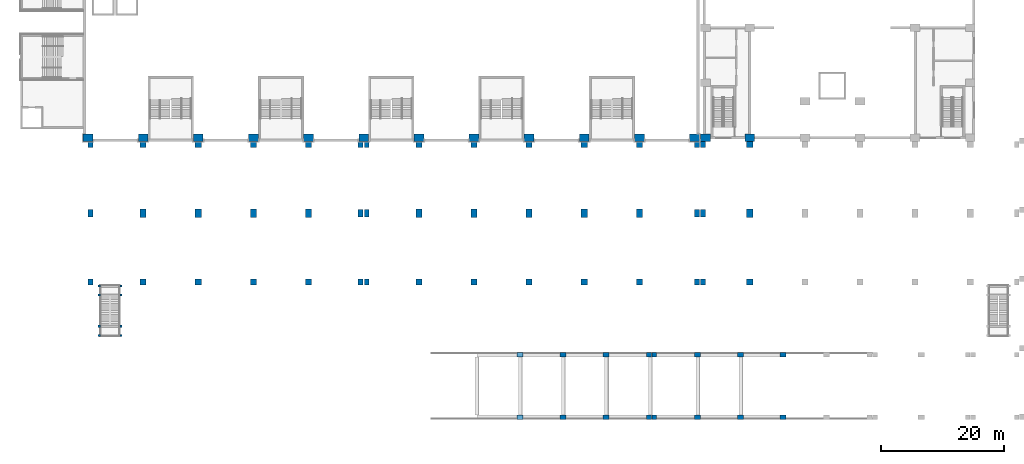
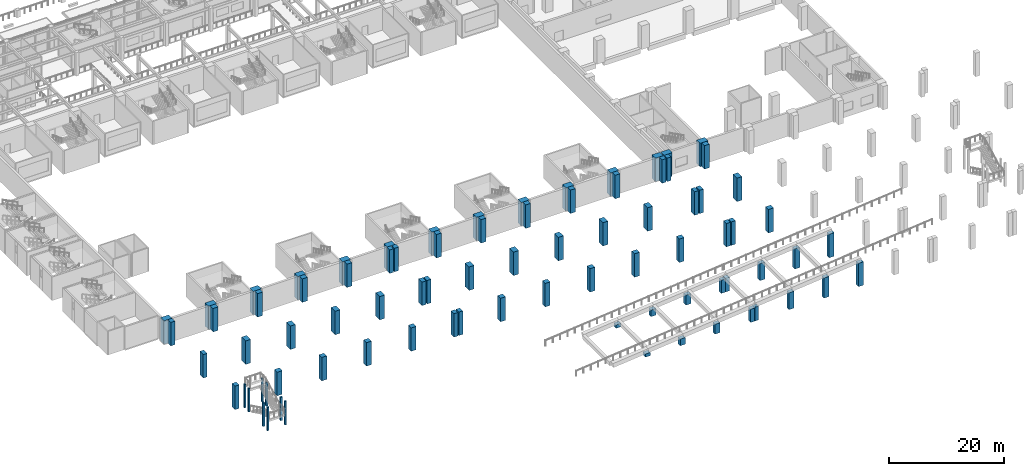
# One storey, part 1 of 67: 83 columns.
"""IFC4 building model written with IfcOpenShell, lengths in metres."""

from ifc_helpers import new_model, si_unit, direction, frame, origin, origin_2d, place, context, subcontext, project, spatial, rectangle, extrude, material, material_profile, profile_set, type_object, element, save


model = new_model("IFC4")

# Units and contexts
model_context = context("Model", 3, precision=1e-05, world=origin(), true_north=direction((0.0, 1.0)))
body_context = subcontext(model_context, "Body", "Model", "MODEL_VIEW")
ifc_project = project(units=[si_unit("LENGTHUNIT", "METRE"), si_unit("AREAUNIT", "SQUARE_METRE"), si_unit("VOLUMEUNIT", "CUBIC_METRE"), si_unit("PLANEANGLEUNIT", "RADIAN"), si_unit("MASSUNIT", "GRAM", prefix="KILO")], contexts=[model_context])

# Site, building, storey
site_placement = place(None, origin())
site = spatial("IfcSite", under=ifc_project, at=site_placement, CompositionType="ELEMENT")
building_placement = place(site_placement, origin())
building = spatial("IfcBuilding", under=site, at=building_placement, Name="Aravalli Gate Trade Fair Centre", CompositionType="ELEMENT")
storey_placement = place(building_placement, frame((0.0, 0.0, 5.0)))
storey = spatial("IfcBuildingStorey", under=building, at=storey_placement, Name="L01", CompositionType="ELEMENT", Elevation=5.0)

# Columns
ifc_material = material(Name="Concrete M45", Category="concrete")
ifc_material_profile_1 = material_profile(ifc_material, rectangle(XDim=1.60009765625, YDim=1.199951171875, at=origin_2d()), Name="RC 1600x1200")
ifc_profile_set_1 = profile_set([ifc_material_profile_1], Name="Concrete M45")
column_type_1 = type_object("IfcColumnType", Name="Congress RC column 1600 x 1200", PredefinedType="COLUMN", material=ifc_profile_set_1)
for number, where, z_axis, x_axis, name in (
    (1, (106.800048828125, 46.0, 0.0), (0.0, 0.0, 1.0), (1.0, 0.0, 0.0), "Congress column 106.8/46 L01"),
    (2, (114.0, 46.0, 0.0), (0.0, 0.0, 1.0), (1.0, 0.0, 0.0), "Congress column 114.0/46 L01"),
):
    element("IfcColumn", number, at=place(storey_placement, frame(where, z_axis=z_axis, x_axis=x_axis)), inside=storey, type_object=column_type_1, Name=name, PredefinedType="COLUMN", context=body_context, shape_type="SweptSolid", body=[
        extrude(rectangle(XDim=1.60009765625, YDim=1.199951171875, at=origin_2d()), origin(), (0.0, 0.0, 1.0), 5.0),
    ])
ifc_material_profile_2 = material_profile(ifc_material, rectangle(XDim=1.0, YDim=1.0, at=origin_2d()), Name="Deck column RC 1000 x 1000")
ifc_profile_set_2 = profile_set([ifc_material_profile_2], Name="Concrete M45")
column_type_2 = type_object("IfcColumnType", Name="Deck column RC 1000 x 1000", PredefinedType="COLUMN", material=ifc_profile_set_2)
for number, where, z_axis, x_axis, name in (
    (3, (15.0, 22.5, 0.0), (0.0, 0.0, 1.0), (1.0, 0.0, 0.0), "Deck column col.deck.1.2.S L01"),
    (4, (15.0, 44.89990234375, 0.0), (0.0, 0.0, 1.0), (1.0, 0.0, 0.0), "Deck column col.deck.1.2.N L01"),
    (5, (24.0, 22.5, 0.0), (0.0, 0.0, 1.0), (1.0, 0.0, 0.0), "Deck column col.deck.1.3.S L01"),
    (6, (24.0, 44.89990234375, 0.0), (0.0, 0.0, 1.0), (1.0, 0.0, 0.0), "Deck column col.deck.1.3.N L01"),
    (7, (33.0, 22.5, 0.0), (0.0, 0.0, 1.0), (1.0, 0.0, 0.0), "Deck column col.deck.1.4.S L01"),
    (8, (33.0, 44.89990234375, 0.0), (0.0, 0.0, 1.0), (1.0, 0.0, 0.0), "Deck column col.deck.1.4.N L01"),
    (9, (42.0, 22.5, 0.0), (0.0, 0.0, 1.0), (1.0, 0.0, 0.0), "Deck column col.deck.1.5.S L01"),
    (10, (42.0, 44.89990234375, 0.0), (0.0, 0.0, 1.0), (1.0, 0.0, 0.0), "Deck column col.deck.1.5.N L01"),
    (11, (60.0, 22.5, 0.0), (0.0, 0.0, 1.0), (1.0, 0.0, 0.0), "Deck column col.deck.2.2.S L01"),
    (12, (60.0, 44.89990234375, 0.0), (0.0, 0.0, 1.0), (1.0, 0.0, 0.0), "Deck column col.deck.2.2.N L01"),
    (13, (69.0, 22.5, 0.0), (0.0, 0.0, 1.0), (1.0, 0.0, 0.0), "Deck column col.deck.2.3.S L01"),
    (14, (69.0, 44.89990234375, 0.0), (0.0, 0.0, 1.0), (1.0, 0.0, 0.0), "Deck column col.deck.2.3.N L01"),
    (15, (78.0, 22.5, 0.0), (0.0, 0.0, 1.0), (1.0, 0.0, 0.0), "Deck column col.deck.2.4.S L01"),
    (16, (78.0, 44.89990234375, 0.0), (0.0, 0.0, 1.0), (1.0, 0.0, 0.0), "Deck column col.deck.2.4.N L01"),
    (17, (87.0, 22.5, 0.0), (0.0, 0.0, 1.0), (1.0, 0.0, 0.0), "Deck column col.deck.2.5.S L01"),
    (18, (87.0, 44.89990234375, 0.0), (0.0, 0.0, 1.0), (1.0, 0.0, 0.0), "Deck column col.deck.2.5.N L01"),
    (19, (96.0, 22.5, 0.0), (0.0, 0.0, 1.0), (1.0, 0.0, 0.0), "Deck column col.deck.2.6.S L01"),
    (20, (96.0, 44.89990234375, 0.0), (0.0, 0.0, 1.0), (1.0, 0.0, 0.0), "Deck column col.deck.2.6.N L01"),
    (21, (114.0, 22.5, 0.0), (0.0, 0.0, 1.0), (1.0, 0.0, 0.0), "Deck column col.deck.3.2.S L01"),
    (22, (114.0, 44.89990234375, 0.0), (0.0, 0.0, 1.0), (1.0, 0.0, 0.0), "Deck column col.deck.3.2.N L01"),
):
    element("IfcColumn", number, at=place(storey_placement, frame(where, z_axis=z_axis, x_axis=x_axis)), inside=storey, type_object=column_type_2, Name=name, PredefinedType="COLUMN", context=body_context, shape_type="SweptSolid", body=[
        extrude(rectangle(XDim=1.0, YDim=1.0, at=origin_2d()), origin(), (0.0, 0.0, 1.0), 5.0),
    ])
ifc_material_profile_3 = material_profile(ifc_material, rectangle(XDim=1.0, YDim=1.39990234375, at=origin_2d()), Name="Deck column RC 1000 x 1400")
ifc_profile_set_3 = profile_set([ifc_material_profile_3], Name="Concrete M45")
column_type_3 = type_object("IfcColumnType", Name="Deck column RC 1000 x 1400", PredefinedType="COLUMN", material=ifc_profile_set_3)
for number, where, z_axis, x_axis, name in (
    (23, (15.0, 33.699951171875, 0.0), (0.0, 0.0, 1.0), (1.0, 0.0, 0.0), "Deck column col.deck.1.2.M L01"),
    (24, (24.0, 33.699951171875, 0.0), (0.0, 0.0, 1.0), (1.0, 0.0, 0.0), "Deck column col.deck.1.3.M L01"),
    (25, (33.0, 33.699951171875, 0.0), (0.0, 0.0, 1.0), (1.0, 0.0, 0.0), "Deck column col.deck.1.4.M L01"),
    (26, (42.0, 33.699951171875, 0.0), (0.0, 0.0, 1.0), (1.0, 0.0, 0.0), "Deck column col.deck.1.5.M L01"),
    (27, (60.0, 33.699951171875, 0.0), (0.0, 0.0, 1.0), (1.0, 0.0, 0.0), "Deck column col.deck.2.2.M L01"),
    (28, (69.0, 33.699951171875, 0.0), (0.0, 0.0, 1.0), (1.0, 0.0, 0.0), "Deck column col.deck.2.3.M L01"),
    (29, (78.0, 33.699951171875, 0.0), (0.0, 0.0, 1.0), (1.0, 0.0, 0.0), "Deck column col.deck.2.4.M L01"),
    (30, (87.0, 33.699951171875, 0.0), (0.0, 0.0, 1.0), (1.0, 0.0, 0.0), "Deck column col.deck.2.5.M L01"),
    (31, (96.0, 33.699951171875, 0.0), (0.0, 0.0, 1.0), (1.0, 0.0, 0.0), "Deck column col.deck.2.6.M L01"),
    (32, (114.0, 33.699951171875, 0.0), (0.0, 0.0, 1.0), (1.0, 0.0, 0.0), "Deck column col.deck.3.2.M L01"),
):
    element("IfcColumn", number, at=place(storey_placement, frame(where, z_axis=z_axis, x_axis=x_axis)), inside=storey, type_object=column_type_3, Name=name, PredefinedType="COLUMN", context=body_context, shape_type="SweptSolid", body=[
        extrude(rectangle(XDim=1.0, YDim=1.39990234375, at=origin_2d()), origin(), (0.0, 0.0, 1.0), 5.0),
    ])
ifc_material_profile_4 = material_profile(ifc_material, rectangle(XDim=0.800048828125, YDim=1.0, at=origin_2d()), Name="Deck column RC 800 x 1000")
ifc_profile_set_4 = profile_set([ifc_material_profile_4], Name="Concrete M45")
column_type_4 = type_object("IfcColumnType", Name="Deck column RC 800 x 1000", PredefinedType="COLUMN", material=ifc_profile_set_4)
for number, where, z_axis, x_axis, name in (
    (33, (6.39990234375, 22.5, 0.0), (0.0, 0.0, 1.0), (1.0, 0.0, 0.0), "Deck column col.deck.1.1.S L01"),
    (34, (6.39990234375, 44.89990234375, 0.0), (0.0, 0.0, 1.0), (1.0, 0.0, 0.0), "Deck column col.deck.1.1.N L01"),
    (35, (50.5, 22.5, 0.0), (0.0, 0.0, 1.0), (1.0, 0.0, 0.0), "Deck column col.deck.1.6.S L01"),
    (36, (50.5, 44.89990234375, 0.0), (0.0, 0.0, 1.0), (1.0, 0.0, 0.0), "Deck column col.deck.1.6.N L01"),
    (37, (51.5, 22.5, 0.0), (0.0, 0.0, 1.0), (1.0, 0.0, 0.0), "Deck column col.deck.2.1.S L01"),
    (38, (51.5, 44.89990234375, 0.0), (0.0, 0.0, 1.0), (1.0, 0.0, 0.0), "Deck column col.deck.2.1.N L01"),
    (39, (105.39990234375, 22.5, 0.0), (0.0, 0.0, 1.0), (1.0, 0.0, 0.0), "Deck column col.deck.2.7.S L01"),
    (40, (105.39990234375, 44.89990234375, 0.0), (0.0, 0.0, 1.0), (1.0, 0.0, 0.0), "Deck column col.deck.2.7.N L01"),
    (41, (106.39990234375, 22.5, 0.0), (0.0, 0.0, 1.0), (1.0, 0.0, 0.0), "Deck column col.deck.3.1.S L01"),
    (42, (106.39990234375, 44.89990234375, 0.0), (0.0, 0.0, 1.0), (1.0, 0.0, 0.0), "Deck column col.deck.3.1.N L01"),
):
    element("IfcColumn", number, at=place(storey_placement, frame(where, z_axis=z_axis, x_axis=x_axis)), inside=storey, type_object=column_type_4, Name=name, PredefinedType="COLUMN", context=body_context, shape_type="SweptSolid", body=[
        extrude(rectangle(XDim=0.800048828125, YDim=1.0, at=origin_2d()), origin(), (0.0, 0.0, 1.0), 5.0),
    ])
ifc_material_profile_5 = material_profile(ifc_material, rectangle(XDim=0.800048828125, YDim=1.199951171875, at=origin_2d()), Name="Deck column RC 800 x 1200")
ifc_profile_set_5 = profile_set([ifc_material_profile_5], Name="Concrete M45")
column_type_5 = type_object("IfcColumnType", Name="Deck column RC 800 x 1200", PredefinedType="COLUMN", material=ifc_profile_set_5)
for number, where, z_axis, x_axis, name in (
    (43, (6.39990234375, 33.699951171875, 0.0), (0.0, 0.0, 1.0), (1.0, 0.0, 0.0), "Deck column col.deck.1.1.M L01"),
    (44, (50.5, 33.699951171875, 0.0), (0.0, 0.0, 1.0), (1.0, 0.0, 0.0), "Deck column col.deck.1.6.M L01"),
    (45, (51.5, 33.699951171875, 0.0), (0.0, 0.0, 1.0), (1.0, 0.0, 0.0), "Deck column col.deck.2.1.M L01"),
    (46, (105.39990234375, 33.699951171875, 0.0), (0.0, 0.0, 1.0), (1.0, 0.0, 0.0), "Deck column col.deck.2.7.M L01"),
    (47, (106.39990234375, 33.699951171875, 0.0), (0.0, 0.0, 1.0), (1.0, 0.0, 0.0), "Deck column col.deck.3.1.M L01"),
):
    element("IfcColumn", number, at=place(storey_placement, frame(where, z_axis=z_axis, x_axis=x_axis)), inside=storey, type_object=column_type_5, Name=name, PredefinedType="COLUMN", context=body_context, shape_type="SweptSolid", body=[
        extrude(rectangle(XDim=0.800048828125, YDim=1.199951171875, at=origin_2d()), origin(), (0.0, 0.0, 1.0), 5.0),
    ])
ifc_material_profile_6 = material_profile(ifc_material, rectangle(XDim=1.60009765625, YDim=1.199951171875, at=origin_2d()), Name="RC 1600x1200")
ifc_profile_set_6 = profile_set([ifc_material_profile_6], Name="Concrete M45")
column_type_6 = type_object("IfcColumnType", Name="Hall end-line spine column HC2", PredefinedType="COLUMN", material=ifc_profile_set_6)
for number, where, z_axis, x_axis, name in (
    (48, (6.0, 46.0, 0.0), (0.0, 0.0, 1.0), (1.0, 0.0, 0.0), "Spine column A1 L01"),
    (49, (105.0, 46.0, 0.0), (0.0, 0.0, 1.0), (1.0, 0.0, 0.0), "Spine column A12 L01"),
):
    element("IfcColumn", number, at=place(storey_placement, frame(where, z_axis=z_axis, x_axis=x_axis)), inside=storey, type_object=column_type_6, Name=name, PredefinedType="COLUMN", context=body_context, shape_type="SweptSolid", body=[
        extrude(rectangle(XDim=1.60009765625, YDim=1.199951171875, at=origin_2d()), origin(), (0.0, 0.0, 1.0), 5.0),
    ])
ifc_material_profile_7 = material_profile(ifc_material, rectangle(XDim=1.60009765625, YDim=1.199951171875, at=origin_2d()), Name="RC 1600x1200")
ifc_profile_set_7 = profile_set([ifc_material_profile_7], Name="Concrete M45")
column_type_7 = type_object("IfcColumnType", Name="Hall spine column HC1", PredefinedType="COLUMN", material=ifc_profile_set_7)
for number, where, z_axis, x_axis, name in (
    (50, (15.0, 46.0, 0.0), (0.0, 0.0, 1.0), (1.0, 0.0, 0.0), "Spine column A2 L01"),
    (51, (24.0, 46.0, 0.0), (0.0, 0.0, 1.0), (1.0, 0.0, 0.0), "Spine column A3 L01"),
    (52, (33.0, 46.0, 0.0), (0.0, 0.0, 1.0), (1.0, 0.0, 0.0), "Spine column A4 L01"),
    (53, (42.0, 46.0, 0.0), (0.0, 0.0, 1.0), (1.0, 0.0, 0.0), "Spine column A5 L01"),
    (54, (51.0, 46.0, 0.0), (0.0, 0.0, 1.0), (1.0, 0.0, 0.0), "Spine column A6 L01"),
    (55, (60.0, 46.0, 0.0), (0.0, 0.0, 1.0), (1.0, 0.0, 0.0), "Spine column A7 L01"),
    (56, (69.0, 46.0, 0.0), (0.0, 0.0, 1.0), (1.0, 0.0, 0.0), "Spine column A8 L01"),
    (57, (78.0, 46.0, 0.0), (0.0, 0.0, 1.0), (1.0, 0.0, 0.0), "Spine column A9 L01"),
    (58, (87.0, 46.0, 0.0), (0.0, 0.0, 1.0), (1.0, 0.0, 0.0), "Spine column A10 L01"),
    (59, (96.0, 46.0, 0.0), (0.0, 0.0, 1.0), (1.0, 0.0, 0.0), "Spine column A11 L01"),
):
    element("IfcColumn", number, at=place(storey_placement, frame(where, z_axis=z_axis, x_axis=x_axis)), inside=storey, type_object=column_type_7, Name=name, PredefinedType="COLUMN", context=body_context, shape_type="SweptSolid", body=[
        extrude(rectangle(XDim=1.60009765625, YDim=1.199951171875, at=origin_2d()), origin(), (0.0, 0.0, 1.0), 5.0),
    ])
ifc_material_profile_8 = material_profile(ifc_material, rectangle(XDim=1.0, YDim=0.800048828125, at=origin_2d()), Name="Ramp column RC 1000 x 800")
ifc_profile_set_8 = profile_set([ifc_material_profile_8], Name="Concrete M45")
column_type_8 = type_object("IfcColumnType", Name="Ramp column RC 1000 x 800", PredefinedType="COLUMN", material=ifc_profile_set_8)
for number, where, z_axis, x_axis, name in (
    (60, (76.48388671875, 0.39990234375, 0.0), (0.0, 0.0, 1.0), (1.0, 0.0, 0.0), "Ramp column col.ramp.RA1-F2.3.3S L01"),
    (61, (76.48388671875, 10.60009765625, 0.0), (0.0, 0.0, 1.0), (1.0, 0.0, 0.0), "Ramp column col.ramp.RA1-F2.3.3N L01"),
):
    element("IfcColumn", number, at=place(storey_placement, frame(where, z_axis=z_axis, x_axis=x_axis)), inside=storey, type_object=column_type_8, Name=name, PredefinedType="COLUMN", context=body_context, shape_type="SweptSolid", body=[
        extrude(rectangle(XDim=1.0, YDim=0.800048828125, at=origin_2d()), origin(), (0.0, 0.0, 1.0), 0.700927734375),
    ])
for number, where, z_axis, x_axis, name in (
    (62, (83.51611328125, 0.39990234375, 0.0), (0.0, 0.0, 1.0), (1.0, 0.0, 0.0), "Ramp column col.ramp.RA1-F2.3.4S L01"),
    (63, (83.51611328125, 10.60009765625, 0.0), (0.0, 0.0, 1.0), (1.0, 0.0, 0.0), "Ramp column col.ramp.RA1-F2.3.4N L01"),
):
    element("IfcColumn", number, at=place(storey_placement, frame(where, z_axis=z_axis, x_axis=x_axis)), inside=storey, type_object=column_type_8, Name=name, PredefinedType="COLUMN", context=body_context, shape_type="SweptSolid", body=[
        extrude(rectangle(XDim=1.0, YDim=0.800048828125, at=origin_2d()), origin(), (0.0, 0.0, 1.0), 1.404052734375),
    ])
for number, where, z_axis, x_axis, name in (
    (64, (90.548095703125, 0.39990234375, 0.0), (0.0, 0.0, 1.0), (1.0, 0.0, 0.0), "Ramp column col.ramp.RA1-F2.3.5S L01"),
    (65, (90.548095703125, 10.60009765625, 0.0), (0.0, 0.0, 1.0), (1.0, 0.0, 0.0), "Ramp column col.ramp.RA1-F2.3.5N L01"),
):
    element("IfcColumn", number, at=place(storey_placement, frame(where, z_axis=z_axis, x_axis=x_axis)), inside=storey, type_object=column_type_8, Name=name, PredefinedType="COLUMN", context=body_context, shape_type="SweptSolid", body=[
        extrude(rectangle(XDim=1.0, YDim=0.800048828125, at=origin_2d()), origin(), (0.0, 0.0, 1.0), 2.107421875),
    ])
for number, where, z_axis, x_axis, name in (
    (66, (105.451904296875, 0.39990234375, 0.0), (0.0, 0.0, 1.0), (1.0, 0.0, 0.0), "Ramp column col.ramp.RA1-F2.4.2S L01"),
    (67, (105.451904296875, 10.60009765625, 0.0), (0.0, 0.0, 1.0), (1.0, 0.0, 0.0), "Ramp column col.ramp.RA1-F2.4.2N L01"),
):
    element("IfcColumn", number, at=place(storey_placement, frame(where, z_axis=z_axis, x_axis=x_axis)), inside=storey, type_object=column_type_8, Name=name, PredefinedType="COLUMN", context=body_context, shape_type="SweptSolid", body=[
        extrude(rectangle(XDim=1.0, YDim=0.800048828125, at=origin_2d()), origin(), (0.0, 0.0, 1.0), 3.59765625),
    ])
for number, where, z_axis, x_axis, name in (
    (68, (112.48388671875, 0.39990234375, 0.0), (0.0, 0.0, 1.0), (1.0, 0.0, 0.0), "Ramp column col.ramp.RA1-F2.4.3S L01"),
    (69, (112.48388671875, 10.60009765625, 0.0), (0.0, 0.0, 1.0), (1.0, 0.0, 0.0), "Ramp column col.ramp.RA1-F2.4.3N L01"),
):
    element("IfcColumn", number, at=place(storey_placement, frame(where, z_axis=z_axis, x_axis=x_axis)), inside=storey, type_object=column_type_8, Name=name, PredefinedType="COLUMN", context=body_context, shape_type="SweptSolid", body=[
        extrude(rectangle(XDim=1.0, YDim=0.800048828125, at=origin_2d()), origin(), (0.0, 0.0, 1.0), 4.30078125),
    ])
for number, where, z_axis, x_axis, name in (
    (70, (119.416015625, 0.39990234375, 0.0), (0.0, 0.0, 1.0), (1.0, 0.0, 0.0), "Ramp column col.ramp.RA1-F2.4.4S L01"),
    (71, (119.416015625, 10.60009765625, 0.0), (0.0, 0.0, 1.0), (1.0, 0.0, 0.0), "Ramp column col.ramp.RA1-F2.4.4N L01"),
):
    element("IfcColumn", number, at=place(storey_placement, frame(where, z_axis=z_axis, x_axis=x_axis)), inside=storey, type_object=column_type_8, Name=name, PredefinedType="COLUMN", context=body_context, shape_type="SweptSolid", body=[
        extrude(rectangle(XDim=1.0, YDim=0.800048828125, at=origin_2d()), origin(), (0.0, 0.0, 1.0), 4.994140625),
    ])
ifc_material_profile_9 = material_profile(ifc_material, rectangle(XDim=0.800048828125, YDim=0.800048828125, at=origin_2d()), Name="Ramp column RC 800 x 800")
ifc_profile_set_9 = profile_set([ifc_material_profile_9], Name="Concrete M45")
column_type_9 = type_object("IfcColumnType", Name="Ramp column RC 800 x 800", PredefinedType="COLUMN", material=ifc_profile_set_9)
for number, where, z_axis, x_axis, name in (
    (72, (97.580078125, 0.39990234375, 0.0), (0.0, 0.0, 1.0), (1.0, 0.0, 0.0), "Ramp column col.ramp.RA1-F2.3.6S L01"),
    (73, (97.580078125, 10.60009765625, 0.0), (0.0, 0.0, 1.0), (1.0, 0.0, 0.0), "Ramp column col.ramp.RA1-F2.3.6N L01"),
):
    element("IfcColumn", number, at=place(storey_placement, frame(where, z_axis=z_axis, x_axis=x_axis)), inside=storey, type_object=column_type_9, Name=name, PredefinedType="COLUMN", context=body_context, shape_type="SweptSolid", body=[
        extrude(rectangle(XDim=0.800048828125, YDim=0.800048828125, at=origin_2d()), origin(), (0.0, 0.0, 1.0), 2.810546875),
    ])
for number, where, z_axis, x_axis, name in (
    (74, (98.419921875, 0.39990234375, 0.0), (0.0, 0.0, 1.0), (1.0, 0.0, 0.0), "Ramp column col.ramp.RA1-F2.4.1S L01"),
    (75, (98.419921875, 10.60009765625, 0.0), (0.0, 0.0, 1.0), (1.0, 0.0, 0.0), "Ramp column col.ramp.RA1-F2.4.1N L01"),
):
    element("IfcColumn", number, at=place(storey_placement, frame(where, z_axis=z_axis, x_axis=x_axis)), inside=storey, type_object=column_type_9, Name=name, PredefinedType="COLUMN", context=body_context, shape_type="SweptSolid", body=[
        extrude(rectangle(XDim=0.800048828125, YDim=0.800048828125, at=origin_2d()), origin(), (0.0, 0.0, 1.0), 2.929443359375),
    ])
ifc_material_profile_10 = material_profile(ifc_material, rectangle(XDim=0.35009765625, YDim=0.35009765625, at=origin_2d()), Name="Stair column RC 350 x 350")
ifc_profile_set_10 = profile_set([ifc_material_profile_10], Name="Concrete M45")
column_type_10 = type_object("IfcColumnType", Name="Stair column RC 350 x 350", PredefinedType="COLUMN", material=ifc_profile_set_10)
for number, where, z_axis, x_axis, name in (
    (76, (7.824951171875, 21.800048828125, 0.0), (0.0, 0.0, 1.0), (1.0, 0.0, 0.0), "Stair column col.stair.1.1.1 L01"),
    (77, (7.824951171875, 20.35009765625, 0.0), (0.0, 0.0, 1.0), (1.0, 0.0, 0.0), "Stair column col.stair.1.1.2 L01"),
    (78, (7.824951171875, 15.25, 0.0), (0.0, 0.0, 1.0), (1.0, 0.0, 0.0), "Stair column col.stair.1.1.3 L01"),
    (79, (7.824951171875, 13.75, 0.0), (0.0, 0.0, 1.0), (1.0, 0.0, 0.0), "Stair column col.stair.1.1.4 L01"),
    (80, (11.375, 21.800048828125, 0.0), (0.0, 0.0, 1.0), (1.0, 0.0, 0.0), "Stair column col.stair.1.2.1 L01"),
    (81, (11.375, 20.35009765625, 0.0), (0.0, 0.0, 1.0), (1.0, 0.0, 0.0), "Stair column col.stair.1.2.2 L01"),
    (82, (11.375, 15.25, 0.0), (0.0, 0.0, 1.0), (1.0, 0.0, 0.0), "Stair column col.stair.1.2.3 L01"),
    (83, (11.375, 13.75, 0.0), (0.0, 0.0, 1.0), (1.0, 0.0, 0.0), "Stair column col.stair.1.2.4 L01"),
):
    element("IfcColumn", number, at=place(storey_placement, frame(where, z_axis=z_axis, x_axis=x_axis)), inside=storey, type_object=column_type_10, Name=name, PredefinedType="COLUMN", context=body_context, shape_type="SweptSolid", body=[
        extrude(rectangle(XDim=0.35009765625, YDim=0.35009765625, at=origin_2d()), origin(), (0.0, 0.0, 1.0), 5.0),
    ])

save(model, "model.ifc")
